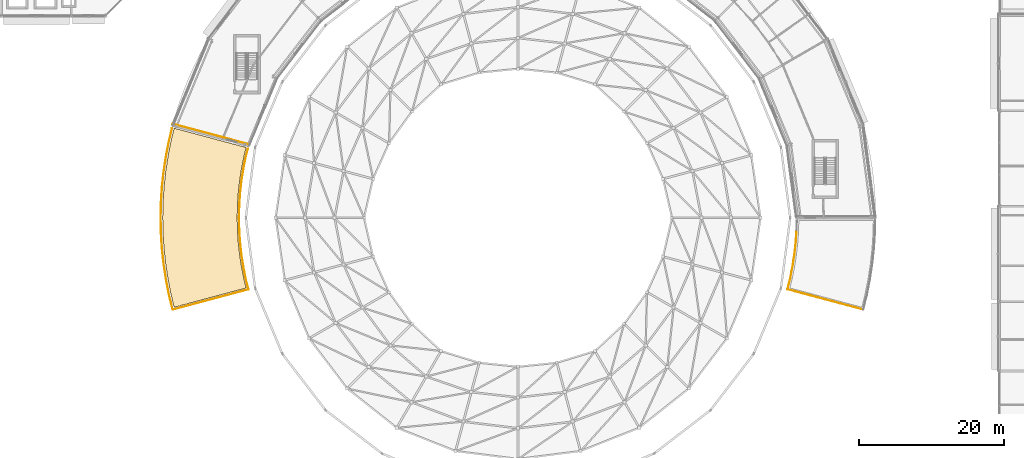
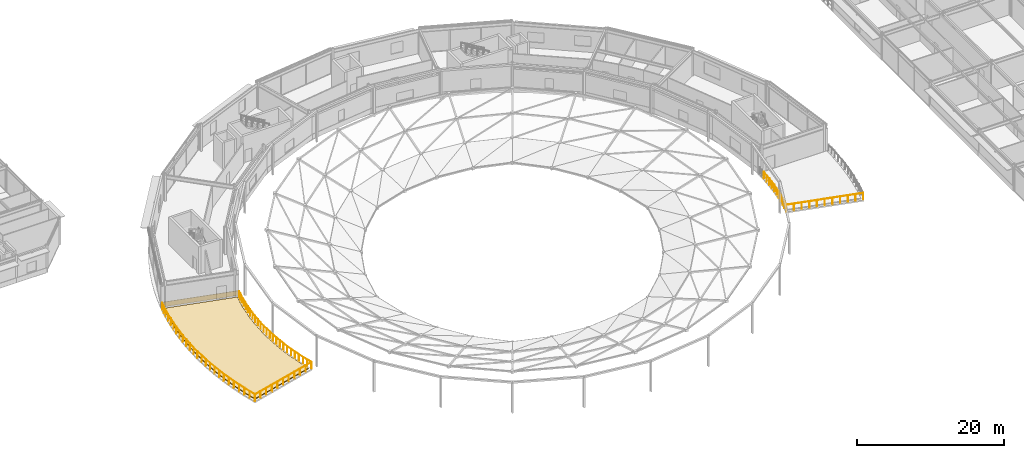
# One storey, part 76 of 89: 31 railings, 2 coverings.
"""IFC4 building model written with IfcOpenShell, lengths in metres."""

from ifc_helpers import new_model, si_unit, direction, frame, origin, origin_2d, place, context, subcontext, project, spatial, polyline, rectangle, circle, outline, extrude, material, layer, layer_set, type_object, element, save


model = new_model("IFC4")

# Units and contexts
model_context = context("Model", 3, precision=1e-05, world=origin(), true_north=direction((0.0, 1.0)))
body_context = subcontext(model_context, "Body", "Model", "MODEL_VIEW")
ifc_project = project(units=[si_unit("LENGTHUNIT", "METRE"), si_unit("AREAUNIT", "SQUARE_METRE"), si_unit("VOLUMEUNIT", "CUBIC_METRE"), si_unit("PLANEANGLEUNIT", "RADIAN"), si_unit("MASSUNIT", "GRAM", prefix="KILO")], contexts=[model_context])

# Site, building, storey
site_placement = place(None, origin())
site = spatial("IfcSite", under=ifc_project, at=site_placement, CompositionType="ELEMENT")
building_placement = place(site_placement, origin())
building = spatial("IfcBuilding", under=site, at=building_placement, Name="Almandine Court Research Institute", CompositionType="ELEMENT")
storey_placement = place(building_placement, frame((0.0, 0.0, 18.89990234375)))
storey = spatial("IfcBuildingStorey", under=building, at=storey_placement, Name="L04", CompositionType="ELEMENT", Elevation=18.89990234375)

# Coverings
ifc_material_1 = material(Name="Extruded Cream-Ochre Seismic Terracotta Spandrel", Category="masonry")
ifc_layer_1 = layer(ifc_material_1, 0.054931640625)
ifc_layer_set_1 = layer_set([ifc_layer_1], Name="Extruded Cream-Ochre Seismic Terracotta Spandrel")
covering_type_1 = type_object("IfcCoveringType", Name="Cov-CLAD-TERR", PredefinedType="CLADDING", material=ifc_layer_set_1)
covering_1_placement = place(storey_placement, frame((44.5439453125, 67.552978515625, 0.02001953125), z_axis=(0.0, 0.0, 1.0), x_axis=(0.965925826289, -0.258819045103, 0.0)))
element("IfcCovering", 1, at=covering_1_placement, inside=storey, type_object=covering_type_1, Name="L04 Facade Spandrel Cladding Band 425", PredefinedType="CLADDING", context=body_context, shape_type="SweptSolid", body=[
    extrude(rectangle(XDim=10.951904296875, YDim=0.054931640625, at=origin_2d()), origin(), (0.0, 0.0, 1.0), 0.800048828125),
])
ifc_material_2 = material(Name="Extensive Andean Sedum Planted Green Roof Build-Up")
ifc_layer_2 = layer(ifc_material_2, 0.139892578125)
ifc_layer_set_2 = layer_set([ifc_layer_2], Name="Extensive Andean Sedum Planted Green Roof Build-Up")
covering_type_2 = type_object("IfcCoveringType", Name="Cov-ROOF-GREEN", PredefinedType="ROOFING", material=ifc_layer_set_2)
covering_2_placement = place(storey_placement, origin())
element("IfcCovering", 2, at=covering_2_placement, inside=storey, type_object=covering_type_2, Name="L04 Planted Green Roof Covering 17", PredefinedType="ROOFING", context=body_context, shape_type="SweptSolid", body=[
    extrude(outline(polyline([(39.44189453125, 68.381103515625), (49.39111328125, 65.716064453125), (49.071044921875, 64.408935546875), (48.739990234375, 62.74609375), (48.48193359375, 61.071044921875), (48.298095703125, 59.385009765625), (48.18701171875, 57.694091796875), (48.14990234375, 56.0), (48.18701171875, 54.305908203125), (48.298095703125, 52.614990234375), (48.48193359375, 50.928955078125), (48.739990234375, 49.25390625), (49.071044921875, 47.591064453125), (49.39111328125, 46.283935546875), (39.44189453125, 43.618896484375), (39.014892578125, 45.362060546875), (38.596923828125, 47.465087890625), (38.27001953125, 49.5849609375), (38.037109375, 51.716064453125), (37.89697265625, 53.85595703125), (37.85009765625, 56.0), (37.89697265625, 58.14404296875), (38.037109375, 60.283935546875), (38.27001953125, 62.4150390625), (38.596923828125, 64.534912109375), (39.014892578125, 66.637939453125), (39.44189453125, 68.381103515625)])), origin(), (0.0, 0.0, 1.0), 0.14013671875),
])

# Railings
ifc_material_3 = material(Name="Architectural Powder-Coated Aluminium Balustrade", Category="aluminium")
railing_type = type_object("IfcRailingType", Name="Rail-BAL-EXT", PredefinedType="BALUSTRADE", material=ifc_material_3)
railing_1_placement = place(storey_placement, frame((134.7548828125, 43.285888671875, 0.0)))
element("IfcRailing", 3, at=railing_1_placement, inside=storey, type_object=railing_type, Name="L04 Terrace Perimeter Balustrade 114", PredefinedType="BALUSTRADE", context=body_context, shape_type="SweptSolid", body=[
    extrude(circle(Radius=0.02392578125, at=origin_2d()), frame((0.0, 0.0, 1.1259765625), z_axis=(-0.965914975333, 0.258859538028, 0.0), x_axis=(-0.258859538028, -0.965914975333, 0.0)), (0.0, 0.0, 1.0), 10.84033203125),
    extrude(circle(Radius=0.02099609375, at=origin_2d()), origin(), (0.0, 0.0, 1.0), 1.101806640625),
    extrude(circle(Radius=0.02099609375, at=origin_2d()), frame((-1.047119140625, 0.280517578125, 0.0)), (0.0, 0.0, 1.0), 1.101806640625),
    extrude(circle(Radius=0.02099609375, at=origin_2d()), frame((-2.09423828125, 0.561279296875, 0.0)), (0.0, 0.0, 1.0), 1.101806640625),
    extrude(circle(Radius=0.02099609375, at=origin_2d()), frame((-3.141357421875, 0.841796875, 0.0)), (0.0, 0.0, 1.0), 1.101806640625),
    extrude(circle(Radius=0.02099609375, at=origin_2d()), frame((-4.1884765625, 1.12255859375, 0.0)), (0.0, 0.0, 1.0), 1.101806640625),
    extrude(circle(Radius=0.02099609375, at=origin_2d()), frame((-5.2353515625, 1.403076171875, 0.0)), (0.0, 0.0, 1.0), 1.101806640625),
    extrude(circle(Radius=0.02099609375, at=origin_2d()), frame((-6.282470703125, 1.68359375, 0.0)), (0.0, 0.0, 1.0), 1.101806640625),
    extrude(circle(Radius=0.02099609375, at=origin_2d()), frame((-7.32958984375, 1.96435546875, 0.0)), (0.0, 0.0, 1.0), 1.101806640625),
    extrude(circle(Radius=0.02099609375, at=origin_2d()), frame((-8.376708984375, 2.244873046875, 0.0)), (0.0, 0.0, 1.0), 1.101806640625),
    extrude(circle(Radius=0.02099609375, at=origin_2d()), frame((-9.423828125, 2.525634765625, 0.0)), (0.0, 0.0, 1.0), 1.101806640625),
    extrude(circle(Radius=0.02099609375, at=origin_2d()), frame((-10.470947265625, 2.80615234375, 0.0)), (0.0, 0.0, 1.0), 1.101806640625),
])
railing_2_placement = place(storey_placement, frame((124.283935546875, 46.092041015625, 0.0)))
element("IfcRailing", 4, at=railing_2_placement, inside=storey, type_object=railing_type, Name="L04 Terrace Perimeter Balustrade 115", PredefinedType="BALUSTRADE", context=body_context, shape_type="SweptSolid", body=[
    extrude(circle(Radius=0.02392578125, at=origin_2d()), frame((0.0, 0.0, 1.1259765625), z_axis=(0.237625458699, 0.971356855835, 0.0), x_axis=(-0.971356855835, 0.237625458699, 0.0)), (0.0, 0.0, 1.0), 1.603759765625),
    extrude(circle(Radius=0.02099609375, at=origin_2d()), origin(), (0.0, 0.0, 1.0), 1.101806640625),
    extrude(circle(Radius=0.02099609375, at=origin_2d()), frame((0.1904296875, 0.77880859375, 0.0)), (0.0, 0.0, 1.0), 1.101806640625),
    extrude(circle(Radius=0.02099609375, at=origin_2d()), frame((0.381103515625, 1.557861328125, 0.0)), (0.0, 0.0, 1.0), 1.101806640625),
])
railing_3_placement = place(storey_placement, frame((124.6650390625, 47.64990234375, 0.0)))
element("IfcRailing", 5, at=railing_3_placement, inside=storey, type_object=railing_type, Name="L04 Terrace Perimeter Balustrade 116", PredefinedType="BALUSTRADE", context=body_context, shape_type="SweptSolid", body=[
    extrude(circle(Radius=0.02392578125, at=origin_2d()), frame((0.0, 0.0, 1.1259765625), z_axis=(0.195335222886, 0.980736534804, 0.0), x_axis=(-0.980736534804, 0.195335222886, 0.0)), (0.0, 0.0, 1.0), 1.68359375),
    extrude(circle(Radius=0.02099609375, at=origin_2d()), origin(), (0.0, 0.0, 1.0), 1.101806640625),
    extrude(circle(Radius=0.02099609375, at=origin_2d()), frame((0.16455078125, 0.82568359375, 0.0)), (0.0, 0.0, 1.0), 1.101806640625),
    extrude(circle(Radius=0.02099609375, at=origin_2d()), frame((0.328857421875, 1.651123046875, 0.0)), (0.0, 0.0, 1.0), 1.101806640625),
])
railing_4_placement = place(storey_placement, frame((124.993896484375, 49.301025390625, 0.0)))
element("IfcRailing", 6, at=railing_4_placement, inside=storey, type_object=railing_type, Name="L04 Terrace Perimeter Balustrade 117", PredefinedType="BALUSTRADE", context=body_context, shape_type="SweptSolid", body=[
    extrude(circle(Radius=0.02392578125, at=origin_2d()), frame((0.0, 0.0, 1.1259765625), z_axis=(0.152111666179, 0.988363314279, 0.0), x_axis=(-0.988363314279, 0.152111666179, 0.0)), (0.0, 0.0, 1.0), 1.68359375),
    extrude(circle(Radius=0.02099609375, at=origin_2d()), origin(), (0.0, 0.0, 1.0), 1.101806640625),
    extrude(circle(Radius=0.02099609375, at=origin_2d()), frame((0.1279296875, 0.83203125, 0.0)), (0.0, 0.0, 1.0), 1.101806640625),
    extrude(circle(Radius=0.02099609375, at=origin_2d()), frame((0.256103515625, 1.6640625, 0.0)), (0.0, 0.0, 1.0), 1.101806640625),
])
railing_5_placement = place(storey_placement, frame((125.25, 50.965087890625, 0.0)))
element("IfcRailing", 7, at=railing_5_placement, inside=storey, type_object=railing_type, Name="L04 Terrace Perimeter Balustrade 118", PredefinedType="BALUSTRADE", context=body_context, shape_type="SweptSolid", body=[
    extrude(circle(Radius=0.02392578125, at=origin_2d()), frame((0.0, 0.0, 1.1259765625), z_axis=(0.108807231655, 0.994062868404, 0.0), x_axis=(-0.994062868404, 0.108807231655, 0.0)), (0.0, 0.0, 1.0), 1.682861328125),
    extrude(circle(Radius=0.02099609375, at=origin_2d()), origin(), (0.0, 0.0, 1.0), 1.101806640625),
    extrude(circle(Radius=0.02099609375, at=origin_2d()), frame((0.091552734375, 0.83642578125, 0.0)), (0.0, 0.0, 1.0), 1.101806640625),
    extrude(circle(Radius=0.02099609375, at=origin_2d()), frame((0.18310546875, 1.6728515625, 0.0)), (0.0, 0.0, 1.0), 1.101806640625),
])
railing_6_placement = place(storey_placement, frame((125.43310546875, 52.637939453125, 0.0)))
element("IfcRailing", 8, at=railing_6_placement, inside=storey, type_object=railing_type, Name="L04 Terrace Perimeter Balustrade 119", PredefinedType="BALUSTRADE", context=body_context, shape_type="SweptSolid", body=[
    extrude(circle(Radius=0.02392578125, at=origin_2d()), frame((0.0, 0.0, 1.1259765625), z_axis=(0.065295866876, 0.997865947795, 0.0), x_axis=(-0.997865947795, 0.065295866876, 0.0)), (0.0, 0.0, 1.0), 1.6826171875),
    extrude(circle(Radius=0.02099609375, at=origin_2d()), origin(), (0.0, 0.0, 1.0), 1.101806640625),
    extrude(circle(Radius=0.02099609375, at=origin_2d()), frame((0.054931640625, 0.83935546875, 0.0)), (0.0, 0.0, 1.0), 1.101806640625),
    extrude(circle(Radius=0.02099609375, at=origin_2d()), frame((0.10986328125, 1.678955078125, 0.0)), (0.0, 0.0, 1.0), 1.101806640625),
])
railing_7_placement = place(storey_placement, frame((49.6279296875, 65.548095703125, 0.0)))
element("IfcRailing", 9, at=railing_7_placement, inside=storey, type_object=railing_type, Name="L04 Terrace Perimeter Balustrade 127", PredefinedType="BALUSTRADE", context=body_context, shape_type="SweptSolid", body=[
    extrude(circle(Radius=0.02392578125, at=origin_2d()), frame((0.0, 0.0, 1.1259765625), z_axis=(-0.237548562599, -0.971375663895, 0.0), x_axis=(0.971375663895, -0.237548562599, 0.0)), (0.0, 0.0, 1.0), 1.2333984375),
    extrude(circle(Radius=0.02099609375, at=origin_2d()), origin(), (0.0, 0.0, 1.0), 1.101806640625),
    extrude(circle(Radius=0.02099609375, at=origin_2d()), frame((-0.146484375, -0.59912109375, 0.0)), (0.0, 0.0, 1.0), 1.101806640625),
    extrude(circle(Radius=0.02099609375, at=origin_2d()), frame((-0.29296875, -1.197998046875, 0.0)), (0.0, 0.0, 1.0), 1.101806640625),
])
railing_8_placement = place(storey_placement, frame((49.3349609375, 64.35009765625, 0.0)))
element("IfcRailing", 10, at=railing_8_placement, inside=storey, type_object=railing_type, Name="L04 Terrace Perimeter Balustrade 128", PredefinedType="BALUSTRADE", context=body_context, shape_type="SweptSolid", body=[
    extrude(circle(Radius=0.02392578125, at=origin_2d()), frame((0.0, 0.0, 1.1259765625), z_axis=(-0.195335222886, -0.980736534804, 0.0), x_axis=(0.980736534804, -0.195335222886, 0.0)), (0.0, 0.0, 1.0), 1.68359375),
    extrude(circle(Radius=0.02099609375, at=origin_2d()), origin(), (0.0, 0.0, 1.0), 1.101806640625),
    extrude(circle(Radius=0.02099609375, at=origin_2d()), frame((-0.16455078125, -0.82568359375, 0.0)), (0.0, 0.0, 1.0), 1.101806640625),
    extrude(circle(Radius=0.02099609375, at=origin_2d()), frame((-0.328857421875, -1.651123046875, 0.0)), (0.0, 0.0, 1.0), 1.101806640625),
])
railing_9_placement = place(storey_placement, frame((49.006103515625, 62.698974609375, 0.0)))
element("IfcRailing", 11, at=railing_9_placement, inside=storey, type_object=railing_type, Name="L04 Terrace Perimeter Balustrade 129", PredefinedType="BALUSTRADE", context=body_context, shape_type="SweptSolid", body=[
    extrude(circle(Radius=0.02392578125, at=origin_2d()), frame((0.0, 0.0, 1.1259765625), z_axis=(-0.152111666179, -0.988363314279, 0.0), x_axis=(0.988363314279, -0.152111666179, 0.0)), (0.0, 0.0, 1.0), 1.68359375),
    extrude(circle(Radius=0.02099609375, at=origin_2d()), origin(), (0.0, 0.0, 1.0), 1.101806640625),
    extrude(circle(Radius=0.02099609375, at=origin_2d()), frame((-0.1279296875, -0.83203125, 0.0)), (0.0, 0.0, 1.0), 1.101806640625),
    extrude(circle(Radius=0.02099609375, at=origin_2d()), frame((-0.256103515625, -1.6640625, 0.0)), (0.0, 0.0, 1.0), 1.101806640625),
])
railing_10_placement = place(storey_placement, frame((48.75, 61.034912109375, 0.0)))
element("IfcRailing", 12, at=railing_10_placement, inside=storey, type_object=railing_type, Name="L04 Terrace Perimeter Balustrade 130", PredefinedType="BALUSTRADE", context=body_context, shape_type="SweptSolid", body=[
    extrude(circle(Radius=0.02392578125, at=origin_2d()), frame((0.0, 0.0, 1.1259765625), z_axis=(-0.108807231655, -0.994062868404, 0.0), x_axis=(0.994062868404, -0.108807231655, 0.0)), (0.0, 0.0, 1.0), 1.682861328125),
    extrude(circle(Radius=0.02099609375, at=origin_2d()), origin(), (0.0, 0.0, 1.0), 1.101806640625),
    extrude(circle(Radius=0.02099609375, at=origin_2d()), frame((-0.091552734375, -0.83642578125, 0.0)), (0.0, 0.0, 1.0), 1.101806640625),
    extrude(circle(Radius=0.02099609375, at=origin_2d()), frame((-0.18310546875, -1.6728515625, 0.0)), (0.0, 0.0, 1.0), 1.101806640625),
])
railing_11_placement = place(storey_placement, frame((48.56689453125, 59.362060546875, 0.0)))
element("IfcRailing", 13, at=railing_11_placement, inside=storey, type_object=railing_type, Name="L04 Terrace Perimeter Balustrade 131", PredefinedType="BALUSTRADE", context=body_context, shape_type="SweptSolid", body=[
    extrude(circle(Radius=0.02392578125, at=origin_2d()), frame((0.0, 0.0, 1.1259765625), z_axis=(-0.065295866876, -0.997865947795, 0.0), x_axis=(0.997865947795, -0.065295866876, 0.0)), (0.0, 0.0, 1.0), 1.6826171875),
    extrude(circle(Radius=0.02099609375, at=origin_2d()), origin(), (0.0, 0.0, 1.0), 1.101806640625),
    extrude(circle(Radius=0.02099609375, at=origin_2d()), frame((-0.054931640625, -0.83935546875, 0.0)), (0.0, 0.0, 1.0), 1.101806640625),
    extrude(circle(Radius=0.02099609375, at=origin_2d()), frame((-0.10986328125, -1.678955078125, 0.0)), (0.0, 0.0, 1.0), 1.101806640625),
])
railing_12_placement = place(storey_placement, frame((48.45703125, 57.68310546875, 0.0)))
element("IfcRailing", 14, at=railing_12_placement, inside=storey, type_object=railing_type, Name="L04 Terrace Perimeter Balustrade 132", PredefinedType="BALUSTRADE", context=body_context, shape_type="SweptSolid", body=[
    extrude(circle(Radius=0.02392578125, at=origin_2d()), frame((0.0, 0.0, 1.1259765625), z_axis=(-0.022042800732, -0.99975702795, 0.0), x_axis=(0.99975702795, -0.022042800732, 0.0)), (0.0, 0.0, 1.0), 1.68359375),
    extrude(circle(Radius=0.02099609375, at=origin_2d()), origin(), (0.0, 0.0, 1.0), 1.101806640625),
    extrude(circle(Radius=0.02099609375, at=origin_2d()), frame((-0.0185546875, -0.841552734375, 0.0)), (0.0, 0.0, 1.0), 1.101806640625),
    extrude(circle(Radius=0.02099609375, at=origin_2d()), frame((-0.037109375, -1.68310546875, 0.0)), (0.0, 0.0, 1.0), 1.101806640625),
])
railing_13_placement = place(storey_placement, frame((48.419921875, 56.0, 0.0)))
element("IfcRailing", 15, at=railing_13_placement, inside=storey, type_object=railing_type, Name="L04 Terrace Perimeter Balustrade 133", PredefinedType="BALUSTRADE", context=body_context, shape_type="SweptSolid", body=[
    extrude(circle(Radius=0.02392578125, at=origin_2d()), frame((0.0, 0.0, 1.1259765625), z_axis=(0.022042800732, -0.99975702795, 0.0), x_axis=(0.99975702795, 0.022042800732, 0.0)), (0.0, 0.0, 1.0), 1.68359375),
    extrude(circle(Radius=0.02099609375, at=origin_2d()), origin(), (0.0, 0.0, 1.0), 1.101806640625),
    extrude(circle(Radius=0.02099609375, at=origin_2d()), frame((0.0185546875, -0.841552734375, 0.0)), (0.0, 0.0, 1.0), 1.101806640625),
    extrude(circle(Radius=0.02099609375, at=origin_2d()), frame((0.037109375, -1.68310546875, 0.0)), (0.0, 0.0, 1.0), 1.101806640625),
])
railing_14_placement = place(storey_placement, frame((48.45703125, 54.31689453125, 0.0)))
element("IfcRailing", 16, at=railing_14_placement, inside=storey, type_object=railing_type, Name="L04 Terrace Perimeter Balustrade 134", PredefinedType="BALUSTRADE", context=body_context, shape_type="SweptSolid", body=[
    extrude(circle(Radius=0.02392578125, at=origin_2d()), frame((0.0, 0.0, 1.1259765625), z_axis=(0.065295866876, -0.997865947795, 0.0), x_axis=(0.997865947795, 0.065295866876, 0.0)), (0.0, 0.0, 1.0), 1.6826171875),
    extrude(circle(Radius=0.02099609375, at=origin_2d()), origin(), (0.0, 0.0, 1.0), 1.101806640625),
    extrude(circle(Radius=0.02099609375, at=origin_2d()), frame((0.054931640625, -0.83935546875, 0.0)), (0.0, 0.0, 1.0), 1.101806640625),
    extrude(circle(Radius=0.02099609375, at=origin_2d()), frame((0.10986328125, -1.678955078125, 0.0)), (0.0, 0.0, 1.0), 1.101806640625),
])
railing_15_placement = place(storey_placement, frame((48.56689453125, 52.637939453125, 0.0)))
element("IfcRailing", 17, at=railing_15_placement, inside=storey, type_object=railing_type, Name="L04 Terrace Perimeter Balustrade 135", PredefinedType="BALUSTRADE", context=body_context, shape_type="SweptSolid", body=[
    extrude(circle(Radius=0.02392578125, at=origin_2d()), frame((0.0, 0.0, 1.1259765625), z_axis=(0.108807231655, -0.994062868404, 0.0), x_axis=(0.994062868404, 0.108807231655, 0.0)), (0.0, 0.0, 1.0), 1.682861328125),
    extrude(circle(Radius=0.02099609375, at=origin_2d()), origin(), (0.0, 0.0, 1.0), 1.101806640625),
    extrude(circle(Radius=0.02099609375, at=origin_2d()), frame((0.091552734375, -0.83642578125, 0.0)), (0.0, 0.0, 1.0), 1.101806640625),
    extrude(circle(Radius=0.02099609375, at=origin_2d()), frame((0.18310546875, -1.6728515625, 0.0)), (0.0, 0.0, 1.0), 1.101806640625),
])
railing_16_placement = place(storey_placement, frame((48.75, 50.965087890625, 0.0)))
element("IfcRailing", 18, at=railing_16_placement, inside=storey, type_object=railing_type, Name="L04 Terrace Perimeter Balustrade 136", PredefinedType="BALUSTRADE", context=body_context, shape_type="SweptSolid", body=[
    extrude(circle(Radius=0.02392578125, at=origin_2d()), frame((0.0, 0.0, 1.1259765625), z_axis=(0.152111666179, -0.988363314279, 0.0), x_axis=(0.988363314279, 0.152111666179, 0.0)), (0.0, 0.0, 1.0), 1.68359375),
    extrude(circle(Radius=0.02099609375, at=origin_2d()), origin(), (0.0, 0.0, 1.0), 1.101806640625),
    extrude(circle(Radius=0.02099609375, at=origin_2d()), frame((0.1279296875, -0.83203125, 0.0)), (0.0, 0.0, 1.0), 1.101806640625),
    extrude(circle(Radius=0.02099609375, at=origin_2d()), frame((0.256103515625, -1.6640625, 0.0)), (0.0, 0.0, 1.0), 1.101806640625),
])
railing_17_placement = place(storey_placement, frame((49.006103515625, 49.301025390625, 0.0)))
element("IfcRailing", 19, at=railing_17_placement, inside=storey, type_object=railing_type, Name="L04 Terrace Perimeter Balustrade 137", PredefinedType="BALUSTRADE", context=body_context, shape_type="SweptSolid", body=[
    extrude(circle(Radius=0.02392578125, at=origin_2d()), frame((0.0, 0.0, 1.1259765625), z_axis=(0.195335222886, -0.980736534804, 0.0), x_axis=(0.980736534804, 0.195335222886, 0.0)), (0.0, 0.0, 1.0), 1.68359375),
    extrude(circle(Radius=0.02099609375, at=origin_2d()), origin(), (0.0, 0.0, 1.0), 1.101806640625),
    extrude(circle(Radius=0.02099609375, at=origin_2d()), frame((0.16455078125, -0.82568359375, 0.0)), (0.0, 0.0, 1.0), 1.101806640625),
    extrude(circle(Radius=0.02099609375, at=origin_2d()), frame((0.328857421875, -1.651123046875, 0.0)), (0.0, 0.0, 1.0), 1.101806640625),
])
railing_18_placement = place(storey_placement, frame((49.3349609375, 47.64990234375, 0.0)))
element("IfcRailing", 20, at=railing_18_placement, inside=storey, type_object=railing_type, Name="L04 Terrace Perimeter Balustrade 138", PredefinedType="BALUSTRADE", context=body_context, shape_type="SweptSolid", body=[
    extrude(circle(Radius=0.02392578125, at=origin_2d()), frame((0.0, 0.0, 1.1259765625), z_axis=(0.237625458699, -0.971356855835, 0.0), x_axis=(0.971356855835, 0.237625458699, 0.0)), (0.0, 0.0, 1.0), 1.603759765625),
    extrude(circle(Radius=0.02099609375, at=origin_2d()), origin(), (0.0, 0.0, 1.0), 1.101806640625),
    extrude(circle(Radius=0.02099609375, at=origin_2d()), frame((0.1904296875, -0.77880859375, 0.0)), (0.0, 0.0, 1.0), 1.101806640625),
    extrude(circle(Radius=0.02099609375, at=origin_2d()), frame((0.381103515625, -1.557861328125, 0.0)), (0.0, 0.0, 1.0), 1.101806640625),
])
railing_19_placement = place(storey_placement, frame((49.716064453125, 46.092041015625, 0.0)))
element("IfcRailing", 21, at=railing_19_placement, inside=storey, type_object=railing_type, Name="L04 Terrace Perimeter Balustrade 139", PredefinedType="BALUSTRADE", context=body_context, shape_type="SweptSolid", body=[
    extrude(circle(Radius=0.02392578125, at=origin_2d()), frame((0.0, 0.0, 1.1259765625), z_axis=(-0.965914975333, -0.258859538028, 0.0), x_axis=(0.258859538028, -0.965914975333, 0.0)), (0.0, 0.0, 1.0), 10.84033203125),
    extrude(circle(Radius=0.02099609375, at=origin_2d()), origin(), (0.0, 0.0, 1.0), 1.101806640625),
    extrude(circle(Radius=0.02099609375, at=origin_2d()), frame((-1.047119140625, -0.280517578125, 0.0)), (0.0, 0.0, 1.0), 1.101806640625),
    extrude(circle(Radius=0.02099609375, at=origin_2d()), frame((-2.09423828125, -0.561279296875, 0.0)), (0.0, 0.0, 1.0), 1.101806640625),
    extrude(circle(Radius=0.02099609375, at=origin_2d()), frame((-3.141357421875, -0.841796875, 0.0)), (0.0, 0.0, 1.0), 1.101806640625),
    extrude(circle(Radius=0.02099609375, at=origin_2d()), frame((-4.1884765625, -1.12255859375, 0.0)), (0.0, 0.0, 1.0), 1.101806640625),
    extrude(circle(Radius=0.02099609375, at=origin_2d()), frame((-5.2353515625, -1.403076171875, 0.0)), (0.0, 0.0, 1.0), 1.101806640625),
    extrude(circle(Radius=0.02099609375, at=origin_2d()), frame((-6.282470703125, -1.68359375, 0.0)), (0.0, 0.0, 1.0), 1.101806640625),
    extrude(circle(Radius=0.02099609375, at=origin_2d()), frame((-7.32958984375, -1.96435546875, 0.0)), (0.0, 0.0, 1.0), 1.101806640625),
    extrude(circle(Radius=0.02099609375, at=origin_2d()), frame((-8.376708984375, -2.244873046875, 0.0)), (0.0, 0.0, 1.0), 1.101806640625),
    extrude(circle(Radius=0.02099609375, at=origin_2d()), frame((-9.423828125, -2.525634765625, 0.0)), (0.0, 0.0, 1.0), 1.101806640625),
    extrude(circle(Radius=0.02099609375, at=origin_2d()), frame((-10.470947265625, -2.80615234375, 0.0)), (0.0, 0.0, 1.0), 1.101806640625),
])
railing_20_placement = place(storey_placement, frame((39.2451171875, 43.285888671875, 0.0)))
element("IfcRailing", 22, at=railing_20_placement, inside=storey, type_object=railing_type, Name="L04 Terrace Perimeter Balustrade 140", PredefinedType="BALUSTRADE", context=body_context, shape_type="SweptSolid", body=[
    extrude(circle(Radius=0.02392578125, at=origin_2d()), frame((0.0, 0.0, 1.1259765625), z_axis=(-0.237941158526, 0.971279571019, 0.0), x_axis=(-0.971279571019, -0.237941158526, 0.0)), (0.0, 0.0, 1.0), 2.07666015625),
    extrude(circle(Radius=0.02099609375, at=origin_2d()), origin(), (0.0, 0.0, 1.0), 1.101806640625),
    extrude(circle(Radius=0.02099609375, at=origin_2d()), frame((-0.2470703125, 1.008544921875, 0.0)), (0.0, 0.0, 1.0), 1.101806640625),
    extrude(circle(Radius=0.02099609375, at=origin_2d()), frame((-0.494140625, 2.01708984375, 0.0)), (0.0, 0.0, 1.0), 1.101806640625),
])
railing_21_placement = place(storey_placement, frame((38.7509765625, 45.302978515625, 0.0)))
element("IfcRailing", 23, at=railing_21_placement, inside=storey, type_object=railing_type, Name="L04 Terrace Perimeter Balustrade 141", PredefinedType="BALUSTRADE", context=body_context, shape_type="SweptSolid", body=[
    extrude(circle(Radius=0.02392578125, at=origin_2d()), frame((0.0, 0.0, 1.1259765625), z_axis=(-0.194744198553, 0.980854065154, 0.0), x_axis=(-0.980854065154, -0.194744198553, 0.0)), (0.0, 0.0, 1.0), 2.15625),
    extrude(circle(Radius=0.02099609375, at=origin_2d()), origin(), (0.0, 0.0, 1.0), 1.101806640625),
    extrude(circle(Radius=0.02099609375, at=origin_2d()), frame((-0.2099609375, 1.0576171875, 0.0)), (0.0, 0.0, 1.0), 1.101806640625),
    extrude(circle(Radius=0.02099609375, at=origin_2d()), frame((-0.419921875, 2.114990234375, 0.0)), (0.0, 0.0, 1.0), 1.101806640625),
])
railing_22_placement = place(storey_placement, frame((38.3310546875, 47.41796875, 0.0)))
element("IfcRailing", 24, at=railing_22_placement, inside=storey, type_object=railing_type, Name="L04 Terrace Perimeter Balustrade 142", PredefinedType="BALUSTRADE", context=body_context, shape_type="SweptSolid", body=[
    extrude(circle(Radius=0.02392578125, at=origin_2d()), frame((0.0, 0.0, 1.1259765625), z_axis=(-0.152618671611, 0.988285151702, 0.0), x_axis=(-0.988285151702, -0.152618671611, 0.0)), (0.0, 0.0, 1.0), 2.15625),
    extrude(circle(Radius=0.02099609375, at=origin_2d()), origin(), (0.0, 0.0, 1.0), 1.101806640625),
    extrude(circle(Radius=0.02099609375, at=origin_2d()), frame((-0.16455078125, 1.0654296875, 0.0)), (0.0, 0.0, 1.0), 1.101806640625),
    extrude(circle(Radius=0.02099609375, at=origin_2d()), frame((-0.3291015625, 2.131103515625, 0.0)), (0.0, 0.0, 1.0), 1.101806640625),
])
railing_23_placement = place(storey_placement, frame((38.001953125, 49.549072265625, 0.0)))
element("IfcRailing", 25, at=railing_23_placement, inside=storey, type_object=railing_type, Name="L04 Terrace Perimeter Balustrade 143", PredefinedType="BALUSTRADE", context=body_context, shape_type="SweptSolid", body=[
    extrude(circle(Radius=0.02392578125, at=origin_2d()), frame((0.0, 0.0, 1.1259765625), z_axis=(-0.108443442304, 0.994102620367, 0.0), x_axis=(-0.994102620367, -0.108443442304, 0.0)), (0.0, 0.0, 1.0), 2.15673828125),
    extrude(circle(Radius=0.02099609375, at=origin_2d()), origin(), (0.0, 0.0, 1.0), 1.101806640625),
    extrude(circle(Radius=0.02099609375, at=origin_2d()), frame((-0.116943359375, 1.072021484375, 0.0)), (0.0, 0.0, 1.0), 1.101806640625),
    extrude(circle(Radius=0.02099609375, at=origin_2d()), frame((-0.23388671875, 2.14404296875, 0.0)), (0.0, 0.0, 1.0), 1.101806640625),
])
railing_24_placement = place(storey_placement, frame((37.76806640625, 51.693115234375, 0.0)))
element("IfcRailing", 26, at=railing_24_placement, inside=storey, type_object=railing_type, Name="L04 Terrace Perimeter Balustrade 144", PredefinedType="BALUSTRADE", context=body_context, shape_type="SweptSolid", body=[
    extrude(circle(Radius=0.02392578125, at=origin_2d()), frame((0.0, 0.0, 1.1259765625), z_axis=(-0.065466521555, 0.997854766264, 0.0), x_axis=(-0.997854766264, -0.065466521555, 0.0)), (0.0, 0.0, 1.0), 2.155517578125),
    extrude(circle(Radius=0.02099609375, at=origin_2d()), origin(), (0.0, 0.0, 1.0), 1.101806640625),
    extrude(circle(Radius=0.02099609375, at=origin_2d()), frame((-0.070556640625, 1.075439453125, 0.0)), (0.0, 0.0, 1.0), 1.101806640625),
    extrude(circle(Radius=0.02099609375, at=origin_2d()), frame((-0.14111328125, 2.15087890625, 0.0)), (0.0, 0.0, 1.0), 1.101806640625),
])
railing_25_placement = place(storey_placement, frame((37.626953125, 53.843994140625, 0.0)))
element("IfcRailing", 27, at=railing_25_placement, inside=storey, type_object=railing_type, Name="L04 Terrace Perimeter Balustrade 145", PredefinedType="BALUSTRADE", context=body_context, shape_type="SweptSolid", body=[
    extrude(circle(Radius=0.02392578125, at=origin_2d()), frame((0.0, 0.0, 1.1259765625), z_axis=(-0.021736455349, 0.999763735344, 0.0), x_axis=(-0.999763735344, -0.021736455349, 0.0)), (0.0, 0.0, 1.0), 2.156494140625),
    extrude(circle(Radius=0.02099609375, at=origin_2d()), origin(), (0.0, 0.0, 1.0), 1.101806640625),
    extrude(circle(Radius=0.02099609375, at=origin_2d()), frame((-0.0234375, 1.078125, 0.0)), (0.0, 0.0, 1.0), 1.101806640625),
    extrude(circle(Radius=0.02099609375, at=origin_2d()), frame((-0.046875, 2.156005859375, 0.0)), (0.0, 0.0, 1.0), 1.101806640625),
])
railing_26_placement = place(storey_placement, frame((37.580078125, 56.0, 0.0)))
element("IfcRailing", 28, at=railing_26_placement, inside=storey, type_object=railing_type, Name="L04 Terrace Perimeter Balustrade 146", PredefinedType="BALUSTRADE", context=body_context, shape_type="SweptSolid", body=[
    extrude(circle(Radius=0.02392578125, at=origin_2d()), frame((0.0, 0.0, 1.1259765625), z_axis=(0.021736455349, 0.999763735344, 0.0), x_axis=(-0.999763735344, 0.021736455349, 0.0)), (0.0, 0.0, 1.0), 2.156494140625),
    extrude(circle(Radius=0.02099609375, at=origin_2d()), origin(), (0.0, 0.0, 1.0), 1.101806640625),
    extrude(circle(Radius=0.02099609375, at=origin_2d()), frame((0.0234375, 1.078125, 0.0)), (0.0, 0.0, 1.0), 1.101806640625),
    extrude(circle(Radius=0.02099609375, at=origin_2d()), frame((0.046875, 2.156005859375, 0.0)), (0.0, 0.0, 1.0), 1.101806640625),
])
railing_27_placement = place(storey_placement, frame((37.626953125, 58.156005859375, 0.0)))
element("IfcRailing", 29, at=railing_27_placement, inside=storey, type_object=railing_type, Name="L04 Terrace Perimeter Balustrade 147", PredefinedType="BALUSTRADE", context=body_context, shape_type="SweptSolid", body=[
    extrude(circle(Radius=0.02392578125, at=origin_2d()), frame((0.0, 0.0, 1.1259765625), z_axis=(0.065466521555, 0.997854766264, 0.0), x_axis=(-0.997854766264, 0.065466521555, 0.0)), (0.0, 0.0, 1.0), 2.155517578125),
    extrude(circle(Radius=0.02099609375, at=origin_2d()), origin(), (0.0, 0.0, 1.0), 1.101806640625),
    extrude(circle(Radius=0.02099609375, at=origin_2d()), frame((0.070556640625, 1.075439453125, 0.0)), (0.0, 0.0, 1.0), 1.101806640625),
    extrude(circle(Radius=0.02099609375, at=origin_2d()), frame((0.14111328125, 2.15087890625, 0.0)), (0.0, 0.0, 1.0), 1.101806640625),
])
railing_28_placement = place(storey_placement, frame((37.76806640625, 60.306884765625, 0.0)))
element("IfcRailing", 30, at=railing_28_placement, inside=storey, type_object=railing_type, Name="L04 Terrace Perimeter Balustrade 148", PredefinedType="BALUSTRADE", context=body_context, shape_type="SweptSolid", body=[
    extrude(circle(Radius=0.02392578125, at=origin_2d()), frame((0.0, 0.0, 1.1259765625), z_axis=(0.108443442304, 0.994102620367, 0.0), x_axis=(-0.994102620367, 0.108443442304, 0.0)), (0.0, 0.0, 1.0), 2.15673828125),
    extrude(circle(Radius=0.02099609375, at=origin_2d()), origin(), (0.0, 0.0, 1.0), 1.101806640625),
    extrude(circle(Radius=0.02099609375, at=origin_2d()), frame((0.116943359375, 1.072021484375, 0.0)), (0.0, 0.0, 1.0), 1.101806640625),
    extrude(circle(Radius=0.02099609375, at=origin_2d()), frame((0.23388671875, 2.14404296875, 0.0)), (0.0, 0.0, 1.0), 1.101806640625),
])
railing_29_placement = place(storey_placement, frame((38.001953125, 62.450927734375, 0.0)))
element("IfcRailing", 31, at=railing_29_placement, inside=storey, type_object=railing_type, Name="L04 Terrace Perimeter Balustrade 149", PredefinedType="BALUSTRADE", context=body_context, shape_type="SweptSolid", body=[
    extrude(circle(Radius=0.02392578125, at=origin_2d()), frame((0.0, 0.0, 1.1259765625), z_axis=(0.152618671611, 0.988285151702, 0.0), x_axis=(-0.988285151702, 0.152618671611, 0.0)), (0.0, 0.0, 1.0), 2.15625),
    extrude(circle(Radius=0.02099609375, at=origin_2d()), origin(), (0.0, 0.0, 1.0), 1.101806640625),
    extrude(circle(Radius=0.02099609375, at=origin_2d()), frame((0.16455078125, 1.0654296875, 0.0)), (0.0, 0.0, 1.0), 1.101806640625),
    extrude(circle(Radius=0.02099609375, at=origin_2d()), frame((0.3291015625, 2.131103515625, 0.0)), (0.0, 0.0, 1.0), 1.101806640625),
])
railing_30_placement = place(storey_placement, frame((38.3310546875, 64.58203125, 0.0)))
element("IfcRailing", 32, at=railing_30_placement, inside=storey, type_object=railing_type, Name="L04 Terrace Perimeter Balustrade 150", PredefinedType="BALUSTRADE", context=body_context, shape_type="SweptSolid", body=[
    extrude(circle(Radius=0.02392578125, at=origin_2d()), frame((0.0, 0.0, 1.1259765625), z_axis=(0.194744198553, 0.980854065154, 0.0), x_axis=(-0.980854065154, 0.194744198553, 0.0)), (0.0, 0.0, 1.0), 2.15625),
    extrude(circle(Radius=0.02099609375, at=origin_2d()), origin(), (0.0, 0.0, 1.0), 1.101806640625),
    extrude(circle(Radius=0.02099609375, at=origin_2d()), frame((0.2099609375, 1.0576171875, 0.0)), (0.0, 0.0, 1.0), 1.101806640625),
    extrude(circle(Radius=0.02099609375, at=origin_2d()), frame((0.419921875, 2.114990234375, 0.0)), (0.0, 0.0, 1.0), 1.101806640625),
])
railing_31_placement = place(storey_placement, frame((38.7509765625, 66.697021484375, 0.0)))
element("IfcRailing", 33, at=railing_31_placement, inside=storey, type_object=railing_type, Name="L04 Terrace Perimeter Balustrade 151", PredefinedType="BALUSTRADE", context=body_context, shape_type="SweptSolid", body=[
    extrude(circle(Radius=0.02392578125, at=origin_2d()), frame((0.0, 0.0, 1.1259765625), z_axis=(0.237987205717, 0.971268289359, 0.0), x_axis=(-0.971268289359, 0.237987205717, 0.0)), (0.0, 0.0, 1.0), 1.7060546875),
    extrude(circle(Radius=0.02099609375, at=origin_2d()), origin(), (0.0, 0.0, 1.0), 1.101806640625),
    extrude(circle(Radius=0.02099609375, at=origin_2d()), frame((0.203125, 0.82861328125, 0.0)), (0.0, 0.0, 1.0), 1.101806640625),
    extrude(circle(Radius=0.02099609375, at=origin_2d()), frame((0.406005859375, 1.656982421875, 0.0)), (0.0, 0.0, 1.0), 1.101806640625),
])

save(model, "model.ifc")
